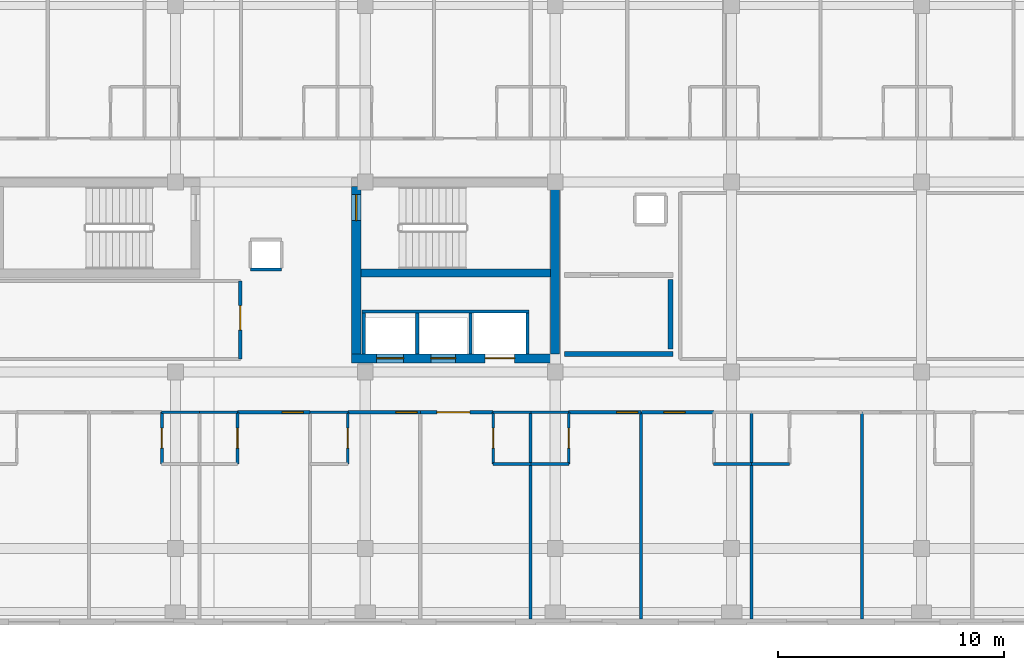
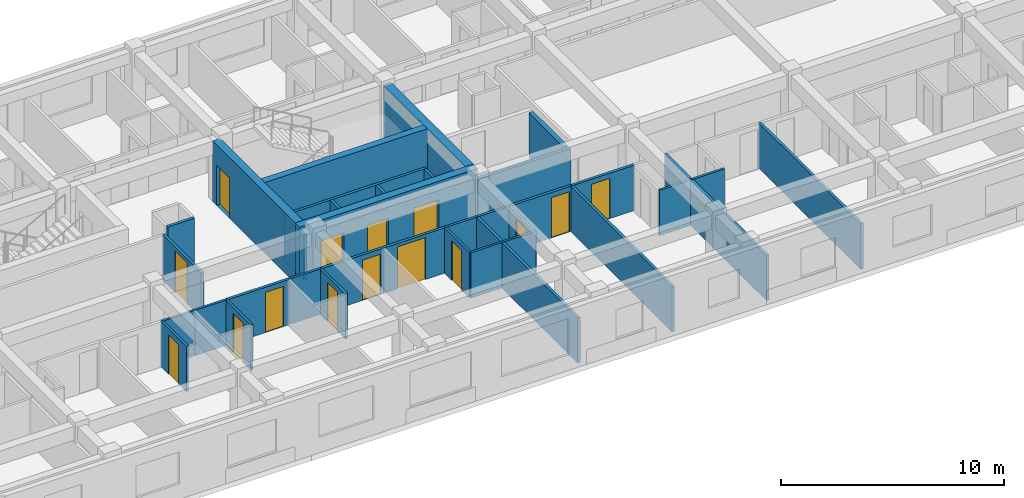
# One storey, part 135 of 144: 36 walls, 15 doors, 15 openings.
"""IFC4 building model written with IfcOpenShell, lengths in metres."""

from ifc_helpers import new_model, si_unit, direction, frame, frame_2d, origin, place, context, subcontext, project, spatial, rectangle, extrude, material, layer, layer_set, type_object, element, fill, save


model = new_model("IFC4")

# Units and contexts
model_context = context("Model", 3, precision=1e-05, world=origin(), true_north=direction((0.0, 1.0)))
body_context = subcontext(model_context, "Body", "Model", "MODEL_VIEW")
ifc_project = project(units=[si_unit("LENGTHUNIT", "METRE"), si_unit("AREAUNIT", "SQUARE_METRE"), si_unit("VOLUMEUNIT", "CUBIC_METRE"), si_unit("PLANEANGLEUNIT", "RADIAN"), si_unit("MASSUNIT", "GRAM", prefix="KILO")], contexts=[model_context])

# Site, building, storey
site_placement = place(None, origin())
site = spatial("IfcSite", under=ifc_project, at=site_placement, CompositionType="ELEMENT")
building_placement = place(site_placement, origin())
building = spatial("IfcBuilding", under=site, at=building_placement, Name="Zayran Congress Hotel", CompositionType="ELEMENT")
storey_placement = place(building_placement, frame((0.0, 0.0, 19.199951171875)))
storey = spatial("IfcBuildingStorey", under=building, at=storey_placement, Name="L04", CompositionType="ELEMENT", Elevation=19.199951171875)

# Wall, openings, doors
ifc_material_1 = material(Name="Concrete C40/50", Category="concrete")
ifc_layer_1 = layer(ifc_material_1, 0.39990234375)
ifc_layer_set_1 = layer_set([ifc_layer_1], Name="Concrete C40/50")
wall_type_1 = type_object("IfcWallType", Name="WL-SH-400", PredefinedType="SHEAR", material=ifc_layer_set_1)
wall_1_placement = place(storey_placement, frame((49.800048828125, 17.800048828125, 0.0), z_axis=(0.0, 0.0, 1.0), x_axis=(1.0, 0.0, 0.0)))
wall_1 = element("IfcWall", 1, at=wall_1_placement, inside=storey, type_object=wall_type_1, Name="CWALL-C-V5E-L04-S", PredefinedType="SHEAR", context=body_context, shape_type="SweptSolid", body=[
    extrude(rectangle(XDim=9.199951171875, YDim=0.39990234375, at=frame_2d((4.60009765625, 0.0))), origin(), (0.0, 0.0, 1.0), 3.320068359375),
])
opening_1_placement = place(wall_1_placement, frame((1.10009765625, 0.0, 0.0)))
opening_1 = element("IfcOpeningElement", 2, at=opening_1_placement, cuts=wall_1, Name="Opening LD-FL02", PredefinedType="OPENING", context=body_context, shape_type="SweptSolid", body=[
    extrude(rectangle(XDim=1.199951171875, YDim=2.199951171875, at=frame_2d((0.60009765625, 1.10009765625))), frame((0.0, 0.2099609375, 0.0), z_axis=(0.0, -1.0, 0.0), x_axis=(1.0, 0.0, 0.0)), (0.0, 0.0, 1.0), 0.419921875),
])
opening_2_placement = place(wall_1_placement, frame((3.5, 0.0, 0.0)))
opening_2 = element("IfcOpeningElement", 3, at=opening_2_placement, cuts=wall_1, Name="Opening LD-PL03", PredefinedType="OPENING", context=body_context, shape_type="SweptSolid", body=[
    extrude(rectangle(XDim=1.10009765625, YDim=2.199951171875, at=frame_2d((0.550048828125, 1.10009765625))), frame((0.0, 0.2099609375, 0.0), z_axis=(0.0, -1.0, 0.0), x_axis=(1.0, 0.0, 0.0)), (0.0, 0.0, 1.0), 0.419921875),
])
opening_3_placement = place(wall_1_placement, frame((5.89990234375, 0.0, 0.0)))
opening_3 = element("IfcOpeningElement", 4, at=opening_3_placement, cuts=wall_1, Name="Opening LD-SV01", PredefinedType="OPENING", context=body_context, shape_type="SweptSolid", body=[
    extrude(rectangle(XDim=1.300048828125, YDim=2.300048828125, at=frame_2d((0.64990234375, 1.14990234375))), frame((0.0, 0.2099609375, 0.0), z_axis=(0.0, -1.0, 0.0), x_axis=(1.0, 0.0, 0.0)), (0.0, 0.0, 1.0), 0.419921875),
])
ifc_material_2 = material(Name="Brushed stainless steel sliding lift landing door", Category="steel")
door_type_1 = type_object("IfcDoorType", Name="TP-DR-LD-01", OperationType="DOUBLE_DOOR_SLIDING", PredefinedType="DOOR", material=ifc_material_2)
door_1_placement = place(opening_2_placement, origin())
door_1 = element("IfcDoor", 5, at=door_1_placement, inside=storey, type_object=door_type_1, Name="Lift PL-03 Sliding Landing Door L04", OperationType="DOUBLE_DOOR_SLIDING", OverallHeight=2.199951171875, OverallWidth=1.10009765625, PredefinedType="DOOR", context=body_context, shape_type="SweptSolid", body=[
    extrude(rectangle(XDim=1.10009765625, YDim=2.199951171875, at=frame_2d((0.550048828125, 1.10009765625))), frame((0.0, 0.02490234375, 0.0), z_axis=(0.0, -1.0, 0.0), x_axis=(1.0, 0.0, 0.0)), (0.0, 0.0, 1.0), 0.050048828125),
])
fill(opening_2, door_1)
ifc_material_3 = material(Name="Brushed stainless steel firefighting lift landing door", Category="steel")
door_type_2 = type_object("IfcDoorType", Name="TP-DR-LD-02", OperationType="DOUBLE_DOOR_SLIDING", PredefinedType="DOOR", material=ifc_material_3)
door_2_placement = place(opening_1_placement, origin())
door_2 = element("IfcDoor", 6, at=door_2_placement, inside=storey, type_object=door_type_2, Name="Lift FL-02 Sliding Landing Door L04", OperationType="DOUBLE_DOOR_SLIDING", OverallHeight=2.199951171875, OverallWidth=1.199951171875, PredefinedType="DOOR", context=body_context, shape_type="SweptSolid", body=[
    extrude(rectangle(XDim=1.199951171875, YDim=2.199951171875, at=frame_2d((0.60009765625, 1.10009765625))), frame((0.0, 0.02490234375, 0.0), z_axis=(0.0, -1.0, 0.0), x_axis=(1.0, 0.0, 0.0)), (0.0, 0.0, 1.0), 0.050048828125),
])
fill(opening_1, door_2)
ifc_material_4 = material(Name="Heavy-duty stainless steel service lift landing door", Category="steel")
door_type_3 = type_object("IfcDoorType", Name="TP-DR-LD-03", OperationType="DOUBLE_DOOR_SLIDING", PredefinedType="DOOR", material=ifc_material_4)
door_3_placement = place(opening_3_placement, origin())
door_3 = element("IfcDoor", 7, at=door_3_placement, inside=storey, type_object=door_type_3, Name="Lift SV-01 Sliding Landing Door L04", OperationType="DOUBLE_DOOR_SLIDING", OverallHeight=2.300048828125, OverallWidth=1.300048828125, PredefinedType="DOOR", context=body_context, shape_type="SweptSolid", body=[
    extrude(rectangle(XDim=1.300048828125, YDim=2.300048828125, at=frame_2d((0.64990234375, 1.14990234375))), frame((0.0, 0.02490234375, 0.0), z_axis=(0.0, -1.0, 0.0), x_axis=(1.0, 0.0, 0.0)), (0.0, 0.0, 1.0), 0.050048828125),
])
fill(opening_3, door_3)

# Wall, opening, door
wall_2_placement = place(storey_placement, frame((50.0, 25.39990234375, 0.0), z_axis=(0.0, 0.0, 1.0), x_axis=(0.0, -1.0, 0.0)))
wall_2 = element("IfcWall", 8, at=wall_2_placement, inside=storey, type_object=wall_type_1, Name="CWALL-C-V5E-L04-W", PredefinedType="SHEAR", context=body_context, shape_type="SweptSolid", body=[
    extrude(rectangle(XDim=7.39990234375, YDim=0.39990234375, at=frame_2d((3.699951171875, 0.0))), origin(), (0.0, 0.0, 1.0), 3.320068359375),
])
opening_4_placement = place(wall_2_placement, frame((0.35009765625, 0.0, 0.0)))
opening_4 = element("IfcOpeningElement", 9, at=opening_4_placement, cuts=wall_2, Name="Opening DR-FD-90", PredefinedType="OPENING", context=body_context, shape_type="SweptSolid", body=[
    extrude(rectangle(XDim=1.14990234375, YDim=2.199951171875, at=frame_2d((0.574951171875, 1.10009765625))), frame((0.0, 0.2099609375, 0.0), z_axis=(0.0, -1.0, 0.0), x_axis=(1.0, 0.0, 0.0)), (0.0, 0.0, 1.0), 0.419921875),
])
ifc_material_5 = material(Name="Painted steel fire door assembly", Category="steel")
door_type_4 = type_object("IfcDoorType", Name="TP-DR-FD-90", OperationType="NOTDEFINED", PredefinedType="DOOR", material=ifc_material_5)
door_4_placement = place(opening_4_placement, origin())
door_4 = element("IfcDoor", 10, at=door_4_placement, inside=storey, type_object=door_type_4, Name="ST-02 Exit Stair Door L04", OperationType="SINGLE_SWING_LEFT", OverallHeight=2.199951171875, OverallWidth=1.14990234375, PredefinedType="DOOR", context=body_context, shape_type="SweptSolid", body=[
    extrude(rectangle(XDim=1.14990234375, YDim=2.199951171875, at=frame_2d((0.574951171875, 1.10009765625))), frame((0.0, 0.02490234375, 0.0), z_axis=(0.0, -1.0, 0.0), x_axis=(1.0, 0.0, 0.0)), (0.0, 0.0, 1.0), 0.050048828125),
])
fill(opening_4, door_4)

# Walls
wall_3_placement = place(storey_placement, frame((58.800048828125, 18.0, 0.0), z_axis=(0.0, 0.0, 1.0), x_axis=(0.0, 1.0, 0.0)))
element("IfcWall", 11, at=wall_3_placement, inside=storey, type_object=wall_type_1, Name="CWALL-C-V5E-L04-E", PredefinedType="SHEAR", context=body_context, shape_type="SweptSolid", body=[
    extrude(rectangle(XDim=7.39990234375, YDim=0.39990234375, at=frame_2d((3.699951171875, 0.0))), origin(), (0.0, 0.0, 1.0), 3.320068359375),
])
ifc_layer_2 = layer(ifc_material_1, 0.35009765625)
ifc_layer_set_2 = layer_set([ifc_layer_2], Name="Concrete C40/50")
wall_type_2 = type_object("IfcWallType", Name="WL-SH-350", PredefinedType="SHEAR", material=ifc_layer_set_2)
wall_4_placement = place(storey_placement, frame((50.199951171875, 21.5849609375, 0.0), z_axis=(0.0, 0.0, 1.0), x_axis=(1.0, 0.0, 0.0)))
element("IfcWall", 12, at=wall_4_placement, inside=storey, type_object=wall_type_2, Name="CWALL-C-V5E-L04-SPN", PredefinedType="SHEAR", context=body_context, shape_type="SweptSolid", body=[
    extrude(rectangle(XDim=8.400146484375, YDim=0.35009765625, at=frame_2d((4.2001953125, 0.0))), origin(), (0.0, 0.0, 1.0), 3.320068359375),
])
ifc_material_6 = material(Name="Concrete C32/40 fire wall", Category="concrete")
ifc_layer_3 = layer(ifc_material_6, 0.219970703125)
ifc_layer_set_3 = layer_set([ifc_layer_3], Name="Concrete C32/40 fire wall")
wall_type_3 = type_object("IfcWallType", Name="WL-FF-220", PredefinedType="SOLIDWALL", material=ifc_layer_set_3)
wall_5_placement = place(storey_placement, frame((59.199951171875, 18.0, 0.0), z_axis=(0.0, 0.0, 1.0), x_axis=(1.0, 0.0, 0.0)))
element("IfcWall", 13, at=wall_5_placement, inside=storey, type_object=wall_type_3, Name="FFWL-C-V5E-L04-S", PredefinedType="SOLIDWALL", context=body_context, shape_type="SweptSolid", body=[
    extrude(rectangle(XDim=4.800048828125, YDim=0.219970703125, at=frame_2d((2.39990234375, 0.0))), origin(), (0.0, 0.0, 1.0), 2.469970703125),
])
wall_6_placement = place(storey_placement, frame((63.889892578125, 18.219970703125, 0.0), z_axis=(0.0, 0.0, 1.0), x_axis=(0.0, 1.0, 0.0)))
element("IfcWall", 14, at=wall_6_placement, inside=storey, type_object=wall_type_3, Name="FFWL-C-V5E-L04-SD", PredefinedType="SOLIDWALL", context=body_context, shape_type="SweptSolid", body=[
    extrude(rectangle(XDim=3.06005859375, YDim=0.219970703125, at=frame_2d((1.530029296875, 0.0))), origin(), (0.0, 0.0, 1.0), 2.469970703125),
])
ifc_material_7 = material(Name="Hospitality guestroom acoustic partition", Category="gypsum")
ifc_layer_4 = layer(ifc_material_7, 0.139892578125)
ifc_layer_set_4 = layer_set([ifc_layer_4], Name="Hospitality guestroom acoustic partition")
wall_type_4 = type_object("IfcWallType", Name="WL-PT-140", PredefinedType="PARTITIONING", material=ifc_layer_set_4)
for number, where, z_axis, x_axis, name in (
    (15, (50.330078125, 18.0, 0.0), (0.0, 0.0, 1.0), (0.0, 1.0, 0.0), "LSHW-C-V5E-L04-W"),
    (16, (52.699951171875, 18.0, 0.0), (0.0, 0.0, 1.0), (0.0, 1.0, 0.0), "LSHW-C-V5E-L04-DIV1"),
    (17, (55.050048828125, 18.0, 0.0), (0.0, 0.0, 1.0), (0.0, 1.0, 0.0), "LSHW-C-V5E-L04-DIV2"),
    (18, (57.570068359375, 18.0, 0.0), (0.0, 0.0, 1.0), (0.0, 1.0, 0.0), "LSHW-C-V5E-L04-E"),
):
    element("IfcWall", number, at=place(storey_placement, frame(where, z_axis=z_axis, x_axis=x_axis)), inside=storey, type_object=wall_type_4, Name=name, PredefinedType="PARTITIONING", context=body_context, shape_type="SweptSolid", body=[
        extrude(rectangle(XDim=1.800048828125, YDim=0.139892578125, at=frame_2d((0.89990234375, 0.0))), origin(), (0.0, 0.0, 1.0), 2.469970703125),
    ])
wall_7_placement = place(storey_placement, frame((50.260009765625, 19.8701171875, 0.0), z_axis=(0.0, 0.0, 1.0), x_axis=(1.0, 0.0, 0.0)))
element("IfcWall", 19, at=wall_7_placement, inside=storey, type_object=wall_type_4, Name="LSHW-C-V5E-L04-N", PredefinedType="PARTITIONING", context=body_context, shape_type="SweptSolid", body=[
    extrude(rectangle(XDim=7.3798828125, YDim=0.139892578125, at=frame_2d((3.68994140625, 0.0))), origin(), (0.0, 0.0, 1.0), 2.469970703125),
])

# Wall, opening, door
wall_8_placement = place(storey_placement, frame((44.8701171875, 17.77001953125, 0.0), z_axis=(0.0, 0.0, 1.0), x_axis=(0.0, 1.0, 0.0)))
wall_8 = element("IfcWall", 20, at=wall_8_placement, inside=storey, type_object=wall_type_4, Name="IW-L04-0615", PredefinedType="PARTITIONING", context=body_context, shape_type="SweptSolid", body=[
    extrude(rectangle(XDim=3.4599609375, YDim=0.139892578125, at=frame_2d((1.72998046875, 0.0))), origin(), (0.0, 0.0, 1.0), 2.47998046875),
])
opening_5_placement = place(wall_8_placement, frame((1.283935546875, 0.0, 0.0)))
opening_5 = element("IfcOpeningElement", 21, at=opening_5_placement, cuts=wall_8, Name="Opening DR-MT-01", PredefinedType="OPENING", context=body_context, shape_type="SweptSolid", body=[
    extrude(rectangle(XDim=1.080078125, YDim=2.25, at=frame_2d((0.5400390625, 1.125))), frame((0.0, 0.079833984375, 0.0), z_axis=(0.0, -1.0, 0.0), x_axis=(1.0, 0.0, 0.0)), (0.0, 0.0, 1.0), 0.159912109375),
])
ifc_material_8 = material(Name="Acoustic timber seminar room door", Category="wood")
door_type_5 = type_object("IfcDoorType", Name="TP-DR-MT-01", OperationType="NOTDEFINED", PredefinedType="DOOR", material=ifc_material_8)
door_5_placement = place(opening_5_placement, origin())
door_5 = element("IfcDoor", 22, at=door_5_placement, inside=storey, type_object=door_type_5, Name="Hospitality Gallery Lounge L04 Door", OperationType="SINGLE_SWING_RIGHT", OverallHeight=2.25, OverallWidth=1.080078125, PredefinedType="DOOR", context=body_context, shape_type="SweptSolid", body=[
    extrude(rectangle(XDim=1.080078125, YDim=2.25, at=frame_2d((0.5400390625, 1.125))), frame((0.0, 0.02490234375, 0.0), z_axis=(0.0, -1.0, 0.0), x_axis=(1.0, 0.0, 0.0)), (0.0, 0.0, 1.0), 0.050048828125),
])
fill(opening_5, door_5)

wall_9_placement = place(storey_placement, frame((44.74609375, 15.419921875, 0.0), z_axis=(0.0, 0.0, 1.0), x_axis=(1.0, 0.0, 0.0)))
wall_9 = element("IfcWall", 23, at=wall_9_placement, inside=storey, type_object=wall_type_4, Name="IW-L04-0625", PredefinedType="PARTITIONING", context=body_context, shape_type="SweptSolid", body=[
    extrude(rectangle(XDim=3.202880859375, YDim=0.139892578125, at=frame_2d((1.6015625, 0.0))), origin(), (0.0, 0.0, 1.0), 2.47998046875),
])
opening_6_placement = place(wall_9_placement, frame((1.98095703125, 0.0, 0.0)))
opening_6 = element("IfcOpeningElement", 24, at=opening_6_placement, cuts=wall_9, Name="Opening DR-GR-01", PredefinedType="OPENING", context=body_context, shape_type="SweptSolid", body=[
    extrude(rectangle(XDim=0.93994140625, YDim=2.199951171875, at=frame_2d((0.469970703125, 1.10009765625))), frame((0.0, 0.079833984375, 0.0), z_axis=(0.0, -1.0, 0.0), x_axis=(1.0, 0.0, 0.0)), (0.0, 0.0, 1.0), 0.159912109375),
])
ifc_material_9 = material(Name="Acoustic walnut veneer fire-rated entry door", Category="wood")
door_type_6 = type_object("IfcDoorType", Name="TP-DR-GR-01", OperationType="NOTDEFINED", PredefinedType="DOOR", material=ifc_material_9)
door_6_placement = place(opening_6_placement, origin())
door_6 = element("IfcDoor", 25, at=door_6_placement, inside=storey, type_object=door_type_6, Name="Guest Room L04-08 Door", OperationType="SINGLE_SWING_LEFT", OverallHeight=2.199951171875, OverallWidth=0.93994140625, PredefinedType="DOOR", context=body_context, shape_type="SweptSolid", body=[
    extrude(rectangle(XDim=0.93994140625, YDim=2.199951171875, at=frame_2d((0.469970703125, 1.10009765625))), frame((0.0, 0.02490234375, 0.0), z_axis=(0.0, -1.0, 0.0), x_axis=(1.0, 0.0, 0.0)), (0.0, 0.0, 1.0), 0.050048828125),
])
fill(opening_6, door_6)

wall_10_placement = place(storey_placement, frame((49.62890625, 15.419921875, 0.0), z_axis=(0.0, 0.0, 1.0), x_axis=(1.0, 0.0, 0.0)))
wall_10 = element("IfcWall", 26, at=wall_10_placement, inside=storey, type_object=wall_type_4, Name="IW-L04-0626", PredefinedType="PARTITIONING", context=body_context, shape_type="SweptSolid", body=[
    extrude(rectangle(XDim=3.2021484375, YDim=0.139892578125, at=frame_2d((1.60107421875, 0.0))), origin(), (0.0, 0.0, 1.0), 2.47998046875),
])
opening_7_placement = place(wall_10_placement, frame((2.1220703125, 0.0, 0.0)))
opening_7 = element("IfcOpeningElement", 27, at=opening_7_placement, cuts=wall_10, Name="Opening DR-GR-01", PredefinedType="OPENING", context=body_context, shape_type="SweptSolid", body=[
    extrude(rectangle(XDim=0.93994140625, YDim=2.199951171875, at=frame_2d((0.469970703125, 1.10009765625))), frame((0.0, 0.079833984375, 0.0), z_axis=(0.0, -1.0, 0.0), x_axis=(1.0, 0.0, 0.0)), (0.0, 0.0, 1.0), 0.159912109375),
])
door_7_placement = place(opening_7_placement, origin())
door_7 = element("IfcDoor", 28, at=door_7_placement, inside=storey, type_object=door_type_6, Name="Guest Room L04-09 Door", OperationType="SINGLE_SWING_RIGHT", OverallHeight=2.199951171875, OverallWidth=0.93994140625, PredefinedType="DOOR", context=body_context, shape_type="SweptSolid", body=[
    extrude(rectangle(XDim=0.93994140625, YDim=2.199951171875, at=frame_2d((0.469970703125, 1.10009765625))), frame((0.0, 0.02490234375, 0.0), z_axis=(0.0, -1.0, 0.0), x_axis=(1.0, 0.0, 0.0)), (0.0, 0.0, 1.0), 0.050048828125),
])
fill(opening_7, door_7)

wall_11_placement = place(storey_placement, frame((52.85107421875, 15.419921875, 0.0), z_axis=(0.0, 0.0, 1.0), x_axis=(1.0, 0.0, 0.0)))
wall_11 = element("IfcWall", 29, at=wall_11_placement, inside=storey, type_object=wall_type_4, Name="IW-L04-0627", PredefinedType="PARTITIONING", context=body_context, shape_type="SweptSolid", body=[
    extrude(rectangle(XDim=3.202880859375, YDim=0.139892578125, at=frame_2d((1.6015625, 0.0))), origin(), (0.0, 0.0, 1.0), 2.47998046875),
])
opening_8_placement = place(wall_11_placement, frame((0.718994140625, 0.0, 0.0)))
opening_8 = element("IfcOpeningElement", 30, at=opening_8_placement, cuts=wall_11, Name="Opening DR-ST-01", PredefinedType="OPENING", context=body_context, shape_type="SweptSolid", body=[
    extrude(rectangle(XDim=1.449951171875, YDim=2.300048828125, at=frame_2d((0.72509765625, 1.14990234375))), frame((0.0, 0.079833984375, 0.0), z_axis=(0.0, -1.0, 0.0), x_axis=(1.0, 0.0, 0.0)), (0.0, 0.0, 1.0), 0.159912109375),
])
ifc_material_10 = material(Name="Double walnut veneer suite entry door", Category="wood")
door_type_7 = type_object("IfcDoorType", Name="TP-DR-ST-01", OperationType="DOUBLE_DOOR_SINGLE_SWING", PredefinedType="DOOR", material=ifc_material_10)
door_8_placement = place(opening_8_placement, origin())
door_8 = element("IfcDoor", 31, at=door_8_placement, inside=storey, type_object=door_type_7, Name="Junior Suite L04-10 Door", OperationType="DOUBLE_DOOR_SINGLE_SWING", OverallHeight=2.300048828125, OverallWidth=1.449951171875, PredefinedType="DOOR", context=body_context, shape_type="SweptSolid", body=[
    extrude(rectangle(XDim=1.449951171875, YDim=2.300048828125, at=frame_2d((0.72509765625, 1.14990234375))), frame((0.0, 0.02490234375, 0.0), z_axis=(0.0, -1.0, 0.0), x_axis=(1.0, 0.0, 0.0)), (0.0, 0.0, 1.0), 0.050048828125),
])
fill(opening_8, door_8)

wall_12_placement = place(storey_placement, frame((59.39404296875, 15.419921875, 0.0), z_axis=(0.0, 0.0, 1.0), x_axis=(1.0, 0.0, 0.0)))
wall_12 = element("IfcWall", 32, at=wall_12_placement, inside=storey, type_object=wall_type_4, Name="IW-L04-0628", PredefinedType="PARTITIONING", context=body_context, shape_type="SweptSolid", body=[
    extrude(rectangle(XDim=3.201904296875, YDim=0.139892578125, at=frame_2d((1.60107421875, 0.0))), origin(), (0.0, 0.0, 1.0), 2.47998046875),
])
opening_9_placement = place(wall_12_placement, frame((2.1220703125, 0.0, 0.0)))
opening_9 = element("IfcOpeningElement", 33, at=opening_9_placement, cuts=wall_12, Name="Opening DR-GR-01", PredefinedType="OPENING", context=body_context, shape_type="SweptSolid", body=[
    extrude(rectangle(XDim=0.93994140625, YDim=2.199951171875, at=frame_2d((0.469970703125, 1.10009765625))), frame((0.0, 0.079833984375, 0.0), z_axis=(0.0, -1.0, 0.0), x_axis=(1.0, 0.0, 0.0)), (0.0, 0.0, 1.0), 0.159912109375),
])
door_9_placement = place(opening_9_placement, origin())
door_9 = element("IfcDoor", 34, at=door_9_placement, inside=storey, type_object=door_type_6, Name="Guest Room L04-11 Door", OperationType="SINGLE_SWING_LEFT", OverallHeight=2.199951171875, OverallWidth=0.93994140625, PredefinedType="DOOR", context=body_context, shape_type="SweptSolid", body=[
    extrude(rectangle(XDim=0.93994140625, YDim=2.199951171875, at=frame_2d((0.469970703125, 1.10009765625))), frame((0.0, 0.02490234375, 0.0), z_axis=(0.0, -1.0, 0.0), x_axis=(1.0, 0.0, 0.0)), (0.0, 0.0, 1.0), 0.050048828125),
])
fill(opening_9, door_9)

wall_13_placement = place(storey_placement, frame((62.615966796875, 15.419921875, 0.0), z_axis=(0.0, 0.0, 1.0), x_axis=(1.0, 0.0, 0.0)))
wall_13 = element("IfcWall", 35, at=wall_13_placement, inside=storey, type_object=wall_type_4, Name="IW-L04-0629", PredefinedType="PARTITIONING", context=body_context, shape_type="SweptSolid", body=[
    extrude(rectangle(XDim=3.2021484375, YDim=0.139892578125, at=frame_2d((1.60107421875, 0.0))), origin(), (0.0, 0.0, 1.0), 2.47998046875),
])
opening_10_placement = place(wall_13_placement, frame((0.989013671875, 0.0, 0.0)))
opening_10 = element("IfcOpeningElement", 36, at=opening_10_placement, cuts=wall_13, Name="Opening DR-GR-01", PredefinedType="OPENING", context=body_context, shape_type="SweptSolid", body=[
    extrude(rectangle(XDim=0.93994140625, YDim=2.199951171875, at=frame_2d((0.469970703125, 1.10009765625))), frame((0.0, 0.079833984375, 0.0), z_axis=(0.0, -1.0, 0.0), x_axis=(1.0, 0.0, 0.0)), (0.0, 0.0, 1.0), 0.159912109375),
])
door_10_placement = place(opening_10_placement, origin())
door_10 = element("IfcDoor", 37, at=door_10_placement, inside=storey, type_object=door_type_6, Name="Guest Room L04-12 Door", OperationType="SINGLE_SWING_RIGHT", OverallHeight=2.199951171875, OverallWidth=0.93994140625, PredefinedType="DOOR", context=body_context, shape_type="SweptSolid", body=[
    extrude(rectangle(XDim=0.93994140625, YDim=2.199951171875, at=frame_2d((0.469970703125, 1.10009765625))), frame((0.0, 0.02490234375, 0.0), z_axis=(0.0, -1.0, 0.0), x_axis=(1.0, 0.0, 0.0)), (0.0, 0.0, 1.0), 0.050048828125),
])
fill(opening_10, door_10)

# Walls
for number, where, z_axis, x_axis, name in (
    (38, (57.714111328125, 6.280029296875, 0.0), (0.0, 0.0, 1.0), (0.0, 1.0, 0.0), "IW-L04-1953"),
    (39, (62.595947265625, 6.280029296875, 0.0), (0.0, 0.0, 1.0), (0.0, 1.0, 0.0), "IW-L04-1954"),
    (40, (67.47802734375, 6.280029296875, 0.0), (0.0, 0.0, 1.0), (0.0, 1.0, 0.0), "IW-L04-1955"),
    (41, (72.361083984375, 6.280029296875, 0.0), (0.0, 0.0, 1.0), (0.0, 1.0, 0.0), "IW-L04-1956"),
):
    element("IfcWall", number, at=place(storey_placement, frame(where, z_axis=z_axis, x_axis=x_axis)), inside=storey, type_object=wall_type_4, Name=name, PredefinedType="PARTITIONING", context=body_context, shape_type="SweptSolid", body=[
        extrude(rectangle(XDim=9.14990234375, YDim=0.139892578125, at=frame_2d((4.574951171875, 0.0))), origin(), (0.0, 0.0, 1.0), 2.47998046875),
    ])
wall_14_placement = place(storey_placement, frame((45.330078125, 21.72998046875, 0.0), z_axis=(0.0, 0.0, 1.0), x_axis=(1.0, 0.0, 0.0)))
element("IfcWall", 42, at=wall_14_placement, inside=storey, type_object=wall_type_4, Name="RSWL-V5-L04-036-S", PredefinedType="PARTITIONING", context=body_context, shape_type="SweptSolid", body=[
    extrude(rectangle(XDim=1.35986328125, YDim=0.139892578125, at=frame_2d((0.679931640625, 0.0))), origin(), (0.0, 0.0, 1.0), 2.43994140625),
])

# Wall, opening, door
ifc_material_11 = material(Name="Moisture-resistant bathroom partition", Category="gypsum")
ifc_layer_5 = layer(ifc_material_11, 0.1201171875)
ifc_layer_set_5 = layer_set([ifc_layer_5], Name="Moisture-resistant bathroom partition")
wall_type_5 = type_object("IfcWallType", Name="WL-PT-120", PredefinedType="PARTITIONING", material=ifc_layer_set_5)
wall_15_placement = place(storey_placement, frame((41.406005859375, 13.1201171875, 0.0), z_axis=(0.0, 0.0, 1.0), x_axis=(0.0, 1.0, 0.0)))
wall_15 = element("IfcWall", 43, at=wall_15_placement, inside=storey, type_object=wall_type_5, Name="IW-L04-0133", PredefinedType="PARTITIONING", context=body_context, shape_type="SweptSolid", body=[
    extrude(rectangle(XDim=2.309814453125, YDim=0.1201171875, at=frame_2d((1.15478515625, 0.0))), origin(), (0.0, 0.0, 1.0), 2.47998046875),
])
opening_11_placement = place(wall_15_placement, frame((0.715087890625, 0.0, 0.0)))
opening_11 = element("IfcOpeningElement", 44, at=opening_11_placement, cuts=wall_15, Name="Opening DR-BT-01", PredefinedType="OPENING", context=body_context, shape_type="SweptSolid", body=[
    extrude(rectangle(XDim=0.8798828125, YDim=2.14990234375, at=frame_2d((0.43994140625, 1.074951171875))), frame((0.0, 0.070068359375, 0.0), z_axis=(0.0, -1.0, 0.0), x_axis=(1.0, 0.0, 0.0)), (0.0, 0.0, 1.0), 0.14013671875),
])
ifc_material_12 = material(Name="Moisture-resistant oak en-suite door", Category="wood")
door_type_8 = type_object("IfcDoorType", Name="TP-DR-BT-01", OperationType="NOTDEFINED", PredefinedType="DOOR", material=ifc_material_12)
door_11_placement = place(opening_11_placement, origin())
door_11 = element("IfcDoor", 45, at=door_11_placement, inside=storey, type_object=door_type_8, Name="En-Suite Bathroom L04-07 Door", OperationType="SINGLE_SWING_RIGHT", OverallHeight=2.14990234375, OverallWidth=0.8798828125, PredefinedType="DOOR", context=body_context, shape_type="SweptSolid", body=[
    extrude(rectangle(XDim=0.8798828125, YDim=2.14990234375, at=frame_2d((0.43994140625, 1.074951171875))), frame((0.0, 0.02490234375, 0.0), z_axis=(0.0, -1.0, 0.0), x_axis=(1.0, 0.0, 0.0)), (0.0, 0.0, 1.0), 0.050048828125),
])
fill(opening_11, door_11)

wall_16_placement = place(storey_placement, frame((44.74609375, 13.1201171875, 0.0), z_axis=(0.0, 0.0, 1.0), x_axis=(0.0, 1.0, 0.0)))
wall_16 = element("IfcWall", 46, at=wall_16_placement, inside=storey, type_object=wall_type_5, Name="IW-L04-0134", PredefinedType="PARTITIONING", context=body_context, shape_type="SweptSolid", body=[
    extrude(rectangle(XDim=2.309814453125, YDim=0.1201171875, at=frame_2d((1.15478515625, 0.0))), origin(), (0.0, 0.0, 1.0), 2.47998046875),
])
opening_12_placement = place(wall_16_placement, frame((0.715087890625, 0.0, 0.0)))
opening_12 = element("IfcOpeningElement", 47, at=opening_12_placement, cuts=wall_16, Name="Opening DR-BT-01", PredefinedType="OPENING", context=body_context, shape_type="SweptSolid", body=[
    extrude(rectangle(XDim=0.8798828125, YDim=2.14990234375, at=frame_2d((0.43994140625, 1.074951171875))), frame((0.0, 0.070068359375, 0.0), z_axis=(0.0, -1.0, 0.0), x_axis=(1.0, 0.0, 0.0)), (0.0, 0.0, 1.0), 0.14013671875),
])
door_12_placement = place(opening_12_placement, origin())
door_12 = element("IfcDoor", 48, at=door_12_placement, inside=storey, type_object=door_type_8, Name="En-Suite Bathroom L04-08 Door", OperationType="SINGLE_SWING_LEFT", OverallHeight=2.14990234375, OverallWidth=0.8798828125, PredefinedType="DOOR", context=body_context, shape_type="SweptSolid", body=[
    extrude(rectangle(XDim=0.8798828125, YDim=2.14990234375, at=frame_2d((0.43994140625, 1.074951171875))), frame((0.0, 0.02490234375, 0.0), z_axis=(0.0, -1.0, 0.0), x_axis=(1.0, 0.0, 0.0)), (0.0, 0.0, 1.0), 0.050048828125),
])
fill(opening_12, door_12)

wall_17_placement = place(storey_placement, frame((49.62890625, 13.1201171875, 0.0), z_axis=(0.0, 0.0, 1.0), x_axis=(0.0, 1.0, 0.0)))
wall_17 = element("IfcWall", 49, at=wall_17_placement, inside=storey, type_object=wall_type_5, Name="IW-L04-0135", PredefinedType="PARTITIONING", context=body_context, shape_type="SweptSolid", body=[
    extrude(rectangle(XDim=2.309814453125, YDim=0.1201171875, at=frame_2d((1.15478515625, 0.0))), origin(), (0.0, 0.0, 1.0), 2.47998046875),
])
opening_13_placement = place(wall_17_placement, frame((0.715087890625, 0.0, 0.0)))
opening_13 = element("IfcOpeningElement", 50, at=opening_13_placement, cuts=wall_17, Name="Opening DR-BT-01", PredefinedType="OPENING", context=body_context, shape_type="SweptSolid", body=[
    extrude(rectangle(XDim=0.8798828125, YDim=2.14990234375, at=frame_2d((0.43994140625, 1.074951171875))), frame((0.0, 0.070068359375, 0.0), z_axis=(0.0, -1.0, 0.0), x_axis=(1.0, 0.0, 0.0)), (0.0, 0.0, 1.0), 0.14013671875),
])
door_13_placement = place(opening_13_placement, origin())
door_13 = element("IfcDoor", 51, at=door_13_placement, inside=storey, type_object=door_type_8, Name="En-Suite Bathroom L04-09 Door", OperationType="SINGLE_SWING_RIGHT", OverallHeight=2.14990234375, OverallWidth=0.8798828125, PredefinedType="DOOR", context=body_context, shape_type="SweptSolid", body=[
    extrude(rectangle(XDim=0.8798828125, YDim=2.14990234375, at=frame_2d((0.43994140625, 1.074951171875))), frame((0.0, 0.02490234375, 0.0), z_axis=(0.0, -1.0, 0.0), x_axis=(1.0, 0.0, 0.0)), (0.0, 0.0, 1.0), 0.050048828125),
])
fill(opening_13, door_13)

wall_18_placement = place(storey_placement, frame((56.053955078125, 13.1201171875, 0.0), z_axis=(0.0, 0.0, 1.0), x_axis=(0.0, 1.0, 0.0)))
wall_18 = element("IfcWall", 52, at=wall_18_placement, inside=storey, type_object=wall_type_5, Name="IW-L04-0136", PredefinedType="PARTITIONING", context=body_context, shape_type="SweptSolid", body=[
    extrude(rectangle(XDim=2.309814453125, YDim=0.1201171875, at=frame_2d((1.15478515625, 0.0))), origin(), (0.0, 0.0, 1.0), 2.47998046875),
])
opening_14_placement = place(wall_18_placement, frame((0.715087890625, 0.0, 0.0)))
opening_14 = element("IfcOpeningElement", 53, at=opening_14_placement, cuts=wall_18, Name="Opening DR-BT-01", PredefinedType="OPENING", context=body_context, shape_type="SweptSolid", body=[
    extrude(rectangle(XDim=0.8798828125, YDim=2.14990234375, at=frame_2d((0.43994140625, 1.074951171875))), frame((0.0, 0.070068359375, 0.0), z_axis=(0.0, -1.0, 0.0), x_axis=(1.0, 0.0, 0.0)), (0.0, 0.0, 1.0), 0.14013671875),
])
door_14_placement = place(opening_14_placement, origin())
door_14 = element("IfcDoor", 54, at=door_14_placement, inside=storey, type_object=door_type_8, Name="En-Suite Bathroom L04-10 Door", OperationType="SINGLE_SWING_LEFT", OverallHeight=2.14990234375, OverallWidth=0.8798828125, PredefinedType="DOOR", context=body_context, shape_type="SweptSolid", body=[
    extrude(rectangle(XDim=0.8798828125, YDim=2.14990234375, at=frame_2d((0.43994140625, 1.074951171875))), frame((0.0, 0.02490234375, 0.0), z_axis=(0.0, -1.0, 0.0), x_axis=(1.0, 0.0, 0.0)), (0.0, 0.0, 1.0), 0.050048828125),
])
fill(opening_14, door_14)

wall_19_placement = place(storey_placement, frame((59.39404296875, 13.1201171875, 0.0), z_axis=(0.0, 0.0, 1.0), x_axis=(0.0, 1.0, 0.0)))
wall_19 = element("IfcWall", 55, at=wall_19_placement, inside=storey, type_object=wall_type_5, Name="IW-L04-0137", PredefinedType="PARTITIONING", context=body_context, shape_type="SweptSolid", body=[
    extrude(rectangle(XDim=2.309814453125, YDim=0.1201171875, at=frame_2d((1.15478515625, 0.0))), origin(), (0.0, 0.0, 1.0), 2.47998046875),
])
opening_15_placement = place(wall_19_placement, frame((0.715087890625, 0.0, 0.0)))
opening_15 = element("IfcOpeningElement", 56, at=opening_15_placement, cuts=wall_19, Name="Opening DR-BT-01", PredefinedType="OPENING", context=body_context, shape_type="SweptSolid", body=[
    extrude(rectangle(XDim=0.8798828125, YDim=2.14990234375, at=frame_2d((0.43994140625, 1.074951171875))), frame((0.0, 0.070068359375, 0.0), z_axis=(0.0, -1.0, 0.0), x_axis=(1.0, 0.0, 0.0)), (0.0, 0.0, 1.0), 0.14013671875),
])
door_15_placement = place(opening_15_placement, origin())
door_15 = element("IfcDoor", 57, at=door_15_placement, inside=storey, type_object=door_type_8, Name="En-Suite Bathroom L04-11 Door", OperationType="SINGLE_SWING_RIGHT", OverallHeight=2.14990234375, OverallWidth=0.8798828125, PredefinedType="DOOR", context=body_context, shape_type="SweptSolid", body=[
    extrude(rectangle(XDim=0.8798828125, YDim=2.14990234375, at=frame_2d((0.43994140625, 1.074951171875))), frame((0.0, 0.02490234375, 0.0), z_axis=(0.0, -1.0, 0.0), x_axis=(1.0, 0.0, 0.0)), (0.0, 0.0, 1.0), 0.050048828125),
])
fill(opening_15, door_15)

# Walls
wall_20_placement = place(storey_placement, frame((41.39599609375, 15.419921875, 0.0), z_axis=(0.0, 0.0, 1.0), x_axis=(1.0, 0.0, 0.0)))
element("IfcWall", 58, at=wall_20_placement, inside=storey, type_object=wall_type_5, Name="IW-L04-1134", PredefinedType="PARTITIONING", context=body_context, shape_type="SweptSolid", body=[
    extrude(rectangle(XDim=1.679931640625, YDim=0.1201171875, at=frame_2d((0.83984375, 0.0))), origin(), (0.0, 0.0, 1.0), 2.47998046875),
])
wall_21_placement = place(storey_placement, frame((43.075927734375, 15.419921875, 0.0), z_axis=(0.0, 0.0, 1.0), x_axis=(1.0, 0.0, 0.0)))
element("IfcWall", 59, at=wall_21_placement, inside=storey, type_object=wall_type_5, Name="IW-L04-1136", PredefinedType="PARTITIONING", context=body_context, shape_type="SweptSolid", body=[
    extrude(rectangle(XDim=1.68017578125, YDim=0.1201171875, at=frame_2d((0.840087890625, 0.0))), origin(), (0.0, 0.0, 1.0), 2.47998046875),
])
wall_22_placement = place(storey_placement, frame((47.958984375, 15.419921875, 0.0), z_axis=(0.0, 0.0, 1.0), x_axis=(1.0, 0.0, 0.0)))
element("IfcWall", 60, at=wall_22_placement, inside=storey, type_object=wall_type_5, Name="IW-L04-1138", PredefinedType="PARTITIONING", context=body_context, shape_type="SweptSolid", body=[
    extrude(rectangle(XDim=1.669921875, YDim=0.1201171875, at=frame_2d((0.8349609375, 0.0))), origin(), (0.0, 0.0, 1.0), 2.47998046875),
])
wall_23_placement = place(storey_placement, frame((56.0439453125, 13.1298828125, 0.0), z_axis=(0.0, 0.0, 1.0), x_axis=(1.0, 0.0, 0.0)))
element("IfcWall", 61, at=wall_23_placement, inside=storey, type_object=wall_type_5, Name="IW-L04-1139", PredefinedType="PARTITIONING", context=body_context, shape_type="SweptSolid", body=[
    extrude(rectangle(XDim=1.68017578125, YDim=0.1201171875, at=frame_2d((0.840087890625, 0.0))), origin(), (0.0, 0.0, 1.0), 2.47998046875),
])
wall_24_placement = place(storey_placement, frame((56.053955078125, 15.419921875, 0.0), z_axis=(0.0, 0.0, 1.0), x_axis=(1.0, 0.0, 0.0)))
element("IfcWall", 62, at=wall_24_placement, inside=storey, type_object=wall_type_5, Name="IW-L04-1140", PredefinedType="PARTITIONING", context=body_context, shape_type="SweptSolid", body=[
    extrude(rectangle(XDim=1.670166015625, YDim=0.1201171875, at=frame_2d((0.8349609375, 0.0))), origin(), (0.0, 0.0, 1.0), 2.47998046875),
])
wall_25_placement = place(storey_placement, frame((57.72412109375, 13.1298828125, 0.0), z_axis=(0.0, 0.0, 1.0), x_axis=(1.0, 0.0, 0.0)))
element("IfcWall", 63, at=wall_25_placement, inside=storey, type_object=wall_type_5, Name="IW-L04-1141", PredefinedType="PARTITIONING", context=body_context, shape_type="SweptSolid", body=[
    extrude(rectangle(XDim=1.679931640625, YDim=0.1201171875, at=frame_2d((0.83984375, 0.0))), origin(), (0.0, 0.0, 1.0), 2.47998046875),
])
wall_26_placement = place(storey_placement, frame((57.72412109375, 15.419921875, 0.0), z_axis=(0.0, 0.0, 1.0), x_axis=(1.0, 0.0, 0.0)))
element("IfcWall", 64, at=wall_26_placement, inside=storey, type_object=wall_type_5, Name="IW-L04-1142", PredefinedType="PARTITIONING", context=body_context, shape_type="SweptSolid", body=[
    extrude(rectangle(XDim=1.669921875, YDim=0.1201171875, at=frame_2d((0.8349609375, 0.0))), origin(), (0.0, 0.0, 1.0), 2.47998046875),
])
for number, where, z_axis, x_axis, name in (
    (65, (65.80810546875, 13.1298828125, 0.0), (0.0, 0.0, 1.0), (1.0, 0.0, 0.0), "IW-L04-1143"),
    (66, (67.488037109375, 13.1298828125, 0.0), (0.0, 0.0, 1.0), (1.0, 0.0, 0.0), "IW-L04-1145"),
):
    element("IfcWall", number, at=place(storey_placement, frame(where, z_axis=z_axis, x_axis=x_axis)), inside=storey, type_object=wall_type_5, Name=name, PredefinedType="PARTITIONING", context=body_context, shape_type="SweptSolid", body=[
        extrude(rectangle(XDim=1.679931640625, YDim=0.1201171875, at=frame_2d((0.83984375, 0.0))), origin(), (0.0, 0.0, 1.0), 2.47998046875),
    ])

save(model, "model.ifc")
